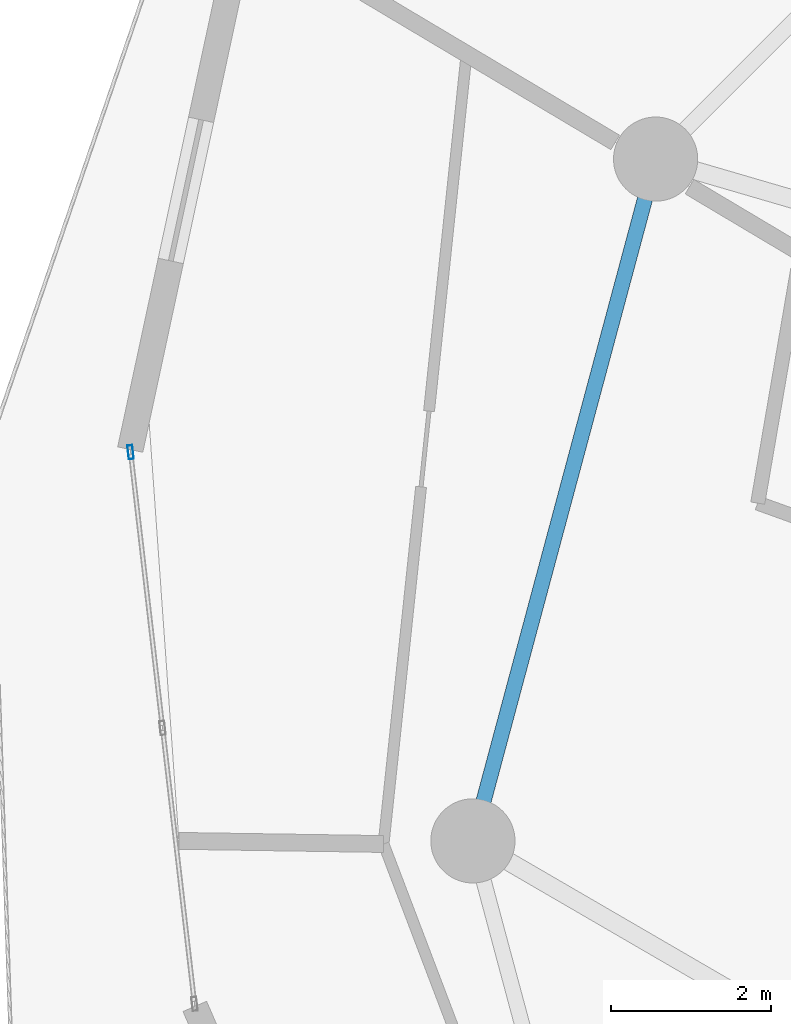
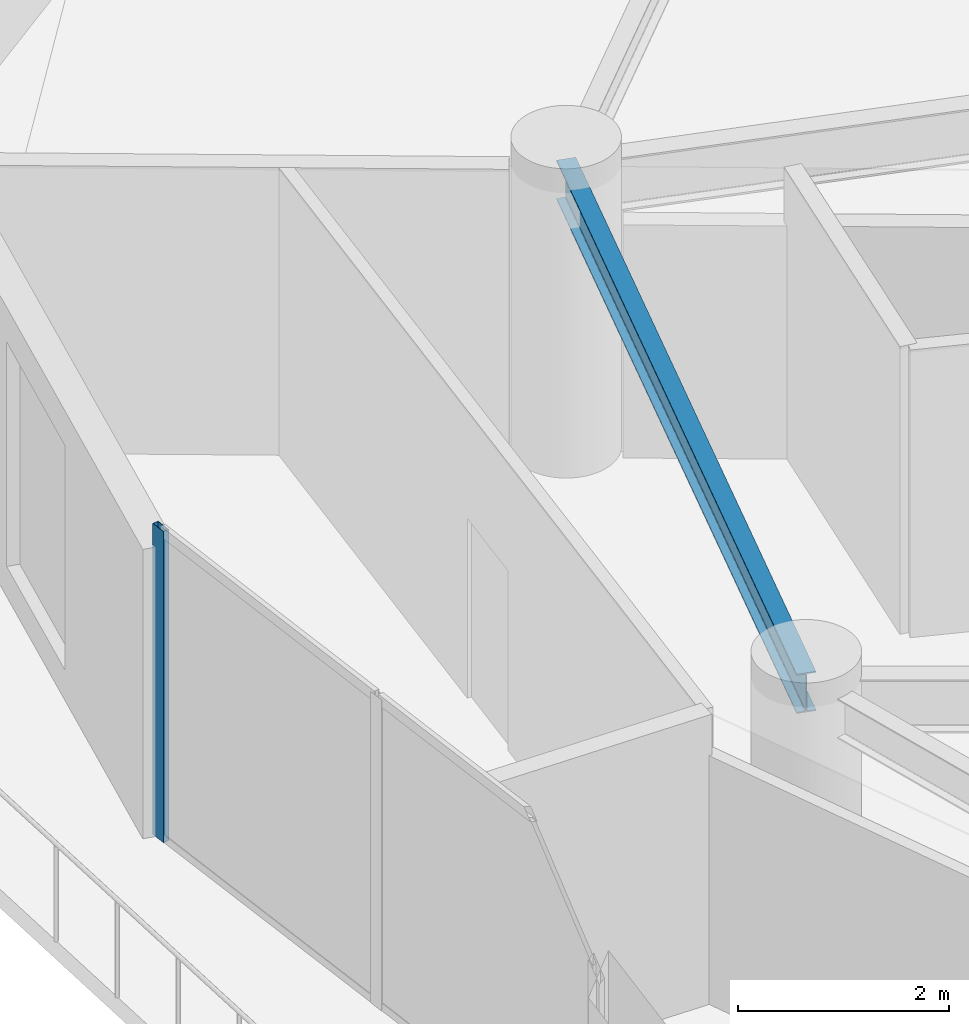
# One storey, part 7 of 21: 1 beam, 1 member, 1 element without a shape of its own.
"""IFC4 building model written with IfcOpenShell, lengths in metres."""

import ifcopenshell
import ifcopenshell.guid

model = None  # the IFC model being written
_history = None  # IfcOwnerHistory: only IFC2X3 demands one
_inside = {}  # id of a spatial element -> (the spatial element, [elements in it])
_under = {}  # id of a project, library or spatial element -> (it, [spatial elements below it])
_declared = {}  # id of a project -> (the project, [libraries it declares])
_typed = {}  # id of a type object -> (the type object, [elements of that type])
_made_of = {}  # id of a material, layer set ... -> (it, [elements and type objects made of it])


def new_model(schema):
    """Start an empty IFC model of exactly this schema.

    Asked for "IFC4X3", IfcOpenShell would pick the latest addendum, in which some entities
    have other attributes; the version numbers below select the first issue.
    IFC2X3 requires an IfcOwnerHistory on every rooted entity: one is made here for all.
    """
    global model, _history
    if schema == "IFC4X3":
        model = ifcopenshell.file(schema_version=(4, 3, 0, 0))
    else:
        model = ifcopenshell.file(schema=schema)
    _inside.clear()
    _under.clear()
    _declared.clear()
    _typed.clear()
    _made_of.clear()
    _history = None
    if model.schema == "IFC2X3":
        org = make("IfcOrganization", Name="unknown")
        user = make(
            "IfcPersonAndOrganization",
            ThePerson=make("IfcPerson", FamilyName="unknown"),
            TheOrganization=org,
        )
        app = make(
            "IfcApplication",
            ApplicationDeveloper=org,
            Version="unknown",
            ApplicationFullName="unknown",
            ApplicationIdentifier="unknown",
        )
        _history = make(
            "IfcOwnerHistory",
            OwningUser=user,
            OwningApplication=app,
            ChangeAction="ADDED",
            CreationDate=0,
        )
    return model


def make(cls, **values):
    """One entity of the class cls with the attributes given. An attribute that is None is left unset."""
    return model.create_entity(
        cls, **{name: value for name, value in values.items() if value is not None}
    )


def rooted(cls, **values):
    """An entity with a GlobalId (a new one), such as an element, a storey or a relation."""
    return make(cls, GlobalId=ifcopenshell.guid.new(), OwnerHistory=_history, **values)


def si_unit(unit_type, name, prefix=None):
    """IfcSIUnit, for example si_unit("LENGTHUNIT", "METRE", prefix="MILLI")."""
    return make("IfcSIUnit", UnitType=unit_type, Prefix=prefix, Name=name)


def assignment(units):
    """IfcUnitAssignment: the units of a project."""
    return None if units is None else make("IfcUnitAssignment", Units=units)


def point(xyz):
    """IfcCartesianPoint."""
    return None if xyz is None else make("IfcCartesianPoint", Coordinates=xyz)


def direction(xyz):
    """IfcDirection."""
    return None if xyz is None else make("IfcDirection", DirectionRatios=xyz)


def frame(location, z_axis=None, x_axis=None):
    """IfcAxis2Placement3D, a coordinate frame: its origin and axes. An axis left out is left unset."""
    return make(
        "IfcAxis2Placement3D",
        Location=point(location),
        Axis=direction(z_axis),
        RefDirection=direction(x_axis),
    )


def frame_2d(location, x_axis=None):
    """IfcAxis2Placement2D, a coordinate frame in the plane: its origin and x axis."""
    return make(
        "IfcAxis2Placement2D", Location=point(location), RefDirection=direction(x_axis)
    )


def origin():
    """The frame at (0, 0, 0) with its axes left unset."""
    return frame((0.0, 0.0, 0.0))


def origin_2d():
    """The frame at (0, 0) in the plane with its x axis left unset."""
    return frame_2d((0.0, 0.0))


def place(relative_to, where):
    """IfcLocalPlacement: puts the frame where relative to a parent placement (None: the world)."""
    return make(
        "IfcLocalPlacement", PlacementRelTo=relative_to, RelativePlacement=where
    )


def context(
    kind, dimensions, precision=None, world=None, true_north=None, identifier=None
):
    """IfcGeometricRepresentationContext, for example the 3D "Model" context."""
    return make(
        "IfcGeometricRepresentationContext",
        ContextIdentifier=identifier,
        ContextType=kind,
        CoordinateSpaceDimension=dimensions,
        Precision=precision,
        WorldCoordinateSystem=world,
        TrueNorth=true_north,
    )


def subcontext(parent, identifier, kind, view, scale=None):
    """IfcGeometricRepresentationSubContext, for example "Body" below "Model"."""
    return make(
        "IfcGeometricRepresentationSubContext",
        ContextIdentifier=identifier,
        ContextType=kind,
        ParentContext=parent,
        TargetScale=scale,
        TargetView=view,
    )


def project(units=None, contexts=None):
    """IfcProject with its units and contexts."""
    return rooted(
        "IfcProject",
        Name="project",
        RepresentationContexts=contexts,
        UnitsInContext=assignment(units),
    )


def spatial(cls, under=None, at=None, **own):
    """A site, building, storey or space (cls), placed at a placement, below another one or the project."""
    s = rooted(cls, ObjectPlacement=at, **own)
    if under is not None:
        _under.setdefault(under.id(), (under, []))[1].append(s)
    return s


def profile(cls, at=None, kind="AREA", **sizes):
    """A parametric profile (cls). Its sizes go by their IFC names, for example OverallWidth=200.0."""
    return make(cls, ProfileType=kind, Position=at, **sizes)


def hollow_rectangle(**sizes):
    """IfcRectangleHollowProfileDef."""
    return profile("IfcRectangleHollowProfileDef", **sizes)


def i_section(**sizes):
    """IfcIShapeProfileDef."""
    return profile("IfcIShapeProfileDef", **sizes)


def extrude(swept, where, along, depth):
    """IfcExtrudedAreaSolid: the profile swept, set in the frame where, extruded along a direction by depth."""
    return make(
        "IfcExtrudedAreaSolid",
        SweptArea=swept,
        Position=where,
        ExtrudedDirection=direction(along),
        Depth=depth,
    )


def shape(context_of_items, identifier, shape_type, items):
    """IfcShapeRepresentation: the items that make up one representation, for example the "Body"."""
    return make(
        "IfcShapeRepresentation",
        ContextOfItems=context_of_items,
        RepresentationIdentifier=identifier,
        RepresentationType=shape_type,
        Items=items,
    )


def source(mapping_origin, context_of_items, identifier, shape_type, items):
    """IfcRepresentationMap: a shape defined once, which mapped items show again and again."""
    return make(
        "IfcRepresentationMap",
        MappingOrigin=mapping_origin,
        MappedRepresentation=shape(context_of_items, identifier, shape_type, items),
    )


def transform(
    local_origin,
    x_axis=None,
    y_axis=None,
    z_axis=None,
    scale=None,
    scale2=None,
    scale3=None,
    uniform=True,
):
    """IfcCartesianTransformationOperator3D, or its non-uniform kind. x_axis, y_axis, z_axis: its Axis1, 2, 3."""
    if uniform:
        return make(
            "IfcCartesianTransformationOperator3D",
            Axis1=direction(x_axis),
            Axis2=direction(y_axis),
            LocalOrigin=point(local_origin),
            Scale=scale,
            Axis3=direction(z_axis),
        )
    return make(
        "IfcCartesianTransformationOperator3DnonUniform",
        Axis1=direction(x_axis),
        Axis2=direction(y_axis),
        LocalOrigin=point(local_origin),
        Scale=scale,
        Axis3=direction(z_axis),
        Scale2=scale2,
        Scale3=scale3,
    )


def mapped(mapping_source, mapping_target):
    """IfcMappedItem: shows the shape of a source again, moved by a transform."""
    return make(
        "IfcMappedItem", MappingSource=mapping_source, MappingTarget=mapping_target
    )


def material(Name=None, Category=None):
    """IfcMaterial."""
    return make("IfcMaterial", Name=Name, Category=Category)


def layer(
    of_material, thickness, ventilated=None, Name=None, Category=None, Priority=None
):
    """IfcMaterialLayer: one layer of a wall or slab, of a material (None: an air gap)."""
    return make(
        "IfcMaterialLayer",
        Material=of_material,
        LayerThickness=thickness,
        IsVentilated=ventilated,
        Name=Name,
        Category=Category,
        Priority=Priority,
    )


def layer_set(layers, Name=None):
    """IfcMaterialLayerSet."""
    return make("IfcMaterialLayerSet", MaterialLayers=layers, LayerSetName=Name)


def material_profile(
    of_material, cross_section, Name=None, Category=None, Priority=None
):
    """IfcMaterialProfile: a cross section and its material."""
    return make(
        "IfcMaterialProfile",
        Name=Name,
        Material=of_material,
        Profile=cross_section,
        Priority=Priority,
        Category=Category,
    )


def profile_set(profiles, Name=None, composite=None):
    """IfcMaterialProfileSet."""
    return make(
        "IfcMaterialProfileSet",
        Name=Name,
        MaterialProfiles=profiles,
        CompositeProfile=composite,
    )


def made_of(thing, what):
    """Note that an element or type object is made of a material, layer set ...; save() writes the relation."""
    if what is not None:
        _made_of.setdefault(what.id(), (what, []))[1].append(thing)
    return thing


def type_object(cls, material=None, **own):
    """A type object (cls), such as IfcWallType, which elements share."""
    return made_of(rooted(cls, **own), material)


def element(
    cls,
    number,
    at=None,
    inside=None,
    cuts=None,
    type_object=None,
    material=None,
    context=None,
    identifier="Body",
    shape_type=None,
    held_by="IfcProductDefinitionShape",
    body=None,
    shapes=None,
    **own,
):
    """One element of the class cls, such as IfcWall. Its Tag is "e" and its number.

    at: its placement. inside: the storey or other place that contains it. cuts: it is an
    opening in that element (IfcRelVoidsElement). A single representation is given by context,
    identifier, shape_type and body (its items); several are given by shapes. held_by: the class
    of the entity that holds the representations. save() writes the other relations.
    """
    e = rooted(cls, Tag="e%d" % number, ObjectPlacement=at, **own)
    if body is not None:
        shapes = [shape(context, identifier, shape_type, body)]
    if shapes is not None:
        e.Representation = make(held_by, Representations=shapes)
    if inside is not None:
        _inside.setdefault(inside.id(), (inside, []))[1].append(e)
    if cuts is not None:
        rooted(
            "IfcRelVoidsElement", RelatingBuildingElement=cuts, RelatedOpeningElement=e
        )
    if type_object is not None:
        _typed.setdefault(type_object.id(), (type_object, []))[1].append(e)
    return made_of(e, material)


def aggregate(whole, parts):
    """IfcRelAggregates: a whole, such as a stair, and the parts it consists of."""
    return rooted("IfcRelAggregates", RelatingObject=whole, RelatedObjects=parts)


def save(model, path):
    """Write the relations noted so far, then the file.

    IfcRelAggregates (storeys below a building ...), IfcRelContainedInSpatialStructure (elements
    in a storey), IfcRelDefinesByType, IfcRelAssociatesMaterial and IfcRelDeclares: one each for
    every whole, place, type object, material and project.
    """
    for whole, parts in _under.values():
        aggregate(whole, parts)
    for where, things in _inside.values():
        rooted(
            "IfcRelContainedInSpatialStructure",
            RelatedElements=things,
            RelatingStructure=where,
        )
    for kind, things in _typed.values():
        rooted("IfcRelDefinesByType", RelatedObjects=things, RelatingType=kind)
    for what, things in _made_of.values():
        rooted("IfcRelAssociatesMaterial", RelatedObjects=things, RelatingMaterial=what)
    for by, libraries in _declared.values():
        rooted("IfcRelDeclares", RelatingContext=by, RelatedDefinitions=libraries)
    model.write(path)


model = new_model("IFC4")

# Units and contexts
model_context = context("Model", 3, precision=1e-05, world=origin(), true_north=direction((0.0, 1.0)))
body_context = subcontext(model_context, "Body", "Model", "MODEL_VIEW")
ifc_project = project(units=[si_unit("LENGTHUNIT", "METRE"), si_unit("AREAUNIT", "SQUARE_METRE"), si_unit("VOLUMEUNIT", "CUBIC_METRE"), si_unit("PLANEANGLEUNIT", "RADIAN"), si_unit("MASSUNIT", "GRAM", prefix="KILO")], contexts=[model_context])

# Site, building, storey
site_placement = place(None, origin())
site = spatial("IfcSite", under=ifc_project, at=site_placement, CompositionType="ELEMENT")
building_placement = place(site_placement, origin())
building = spatial("IfcBuilding", under=site, at=building_placement, Name="Solvirekh Grand Hotel", CompositionType="ELEMENT")
storey_placement = place(building_placement, frame((0.0, 0.0, 142.199951171875)))
storey = spatial("IfcBuildingStorey", under=building, at=storey_placement, Name="L36", CompositionType="ELEMENT", Elevation=142.199951171875)

# Beam
ifc_material_1 = material(Name="Steel S355", Category="steel")
ifc_material_profile_1 = material_profile(ifc_material_1, i_section(OverallWidth=0.18994140625, OverallDepth=0.45703125, WebThickness=0.009033203125, FlangeThickness=0.013916015625, FilletRadius=0.012939453125, at=origin_2d()), Name="W460X74")
ifc_profile_set_1 = profile_set([ifc_material_profile_1], Name="Steel S355")
beam_type = type_object("IfcBeamType", Name="Spandrel_Ring_W460", PredefinedType="SPANDREL", material=ifc_profile_set_1)
beam_placement = place(storey_placement, frame((-14.721923828125, 8.5, 3.1220703125), z_axis=(-0.258872908946, -0.965911391906, 0.0), x_axis=(0.965911391906, -0.258872908946, 0.0)))
element("IfcBeam", 1, at=beam_placement, inside=storey, type_object=beam_type, Name="L36 perimeter spandrel beam 6", PredefinedType="SPANDREL", context=body_context, shape_type="SweptSolid", body=[
    extrude(i_section(OverallWidth=0.18994140625, OverallDepth=0.45703125, WebThickness=0.009033203125, FlangeThickness=0.013916015625, FilletRadius=0.012939453125, at=origin_2d()), origin(), (0.0, 0.0, 1.0), 8.800048828125),
])

# Curtain wall, member
ifc_material_2 = material(Name="Anodized Bronze Aluminium 6063-T6", Category="aluminium")
ifc_layer = layer(ifc_material_2, 0.175048828125)
ifc_layer_set = layer_set([ifc_layer], Name="Anodized Bronze Aluminium 6063-T6")
curtain_wall_type = type_object("IfcCurtainWallType", Name="CW_Sys3_MidZoneFlushBronzeCW", PredefinedType="NOTDEFINED", material=ifc_layer_set)
curtain_wall_placement = place(storey_placement, origin())
curtain_wall = element("IfcCurtainWall", 2, at=curtain_wall_placement, inside=storey, type_object=curtain_wall_type, Name="L36 unitised bronze-glass curtain wall CW-L36-C13", PredefinedType="NOTDEFINED")
ifc_material_profile_2 = material_profile(ifc_material_2, hollow_rectangle(XDim=0.06494140625, YDim=0.175048828125, WallThickness=0.0048828125, at=origin_2d()), Name="ALU RHS 175X65X5")
ifc_profile_set_2 = profile_set([ifc_material_profile_2], Name="Anodized Bronze Aluminium 6063-T6")
member_type = type_object("IfcMemberType", Name="CWMullion_Sys3", PredefinedType="MULLION", material=ifc_profile_set_2)
shared_shape = source(origin(), body_context, "Body", "SweptSolid", [
    extrude(hollow_rectangle(XDim=0.06494140625, YDim=0.175048828125, WallThickness=0.0048828125, at=origin_2d()), origin(), (0.0, 0.0, 1.0), 3.60009765625),
])
member_placement = place(storey_placement, frame((-21.268310546875, 4.8466796875, 0.0), z_axis=(0.0, 0.0, 1.0), x_axis=(0.993345498813, 0.115172566124, 0.0)))
member = element("IfcMember", 3, at=member_placement, type_object=member_type, Name="U03 mullion 1", PredefinedType="MULLION", context=body_context, shape_type="MappedRepresentation", body=[
    mapped(shared_shape, transform((0.0, 0.0, 0.0), x_axis=(1.0, 0.0, 0.0), y_axis=(0.0, 1.0, 0.0), z_axis=(0.0, 0.0, 1.0), scale=1.0)),
])
aggregate(curtain_wall, [member])

save(model, "model.ifc")
